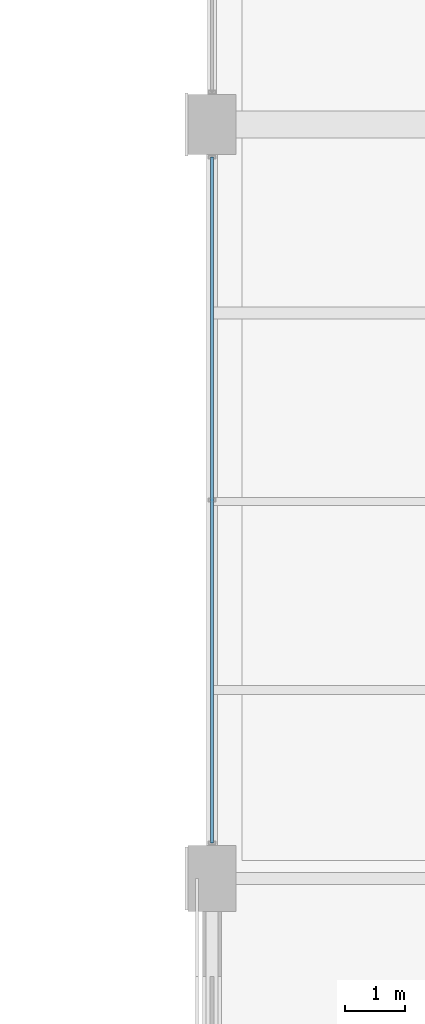
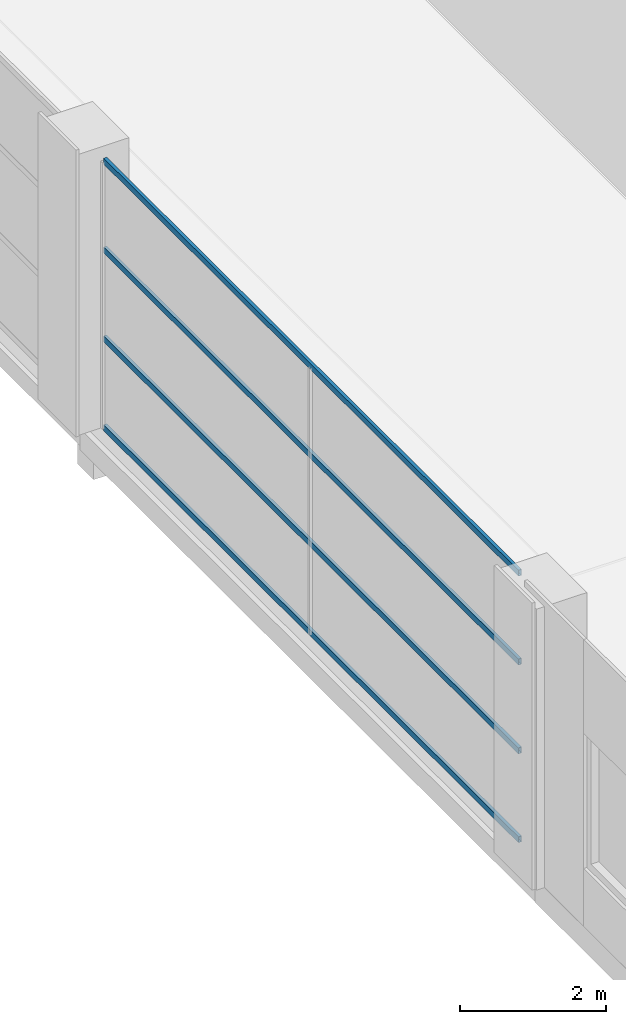
# One storey, part 36 of 112: 4 members, 1 element without a shape of its own.
"""IFC4 building model written with IfcOpenShell, lengths in metres."""

from ifc_helpers import new_model, si_unit, direction, frame, origin, origin_2d, place, context, subcontext, project, spatial, hollow_rectangle, extrude, material, material_profile, profile_set, type_object, element, aggregate, save


model = new_model("IFC4")

# Units and contexts
model_context = context("Model", 3, precision=1e-05, world=origin(), true_north=direction((0.0, 1.0)))
body_context = subcontext(model_context, "Body", "Model", "MODEL_VIEW")
ifc_project = project(units=[si_unit("LENGTHUNIT", "METRE"), si_unit("AREAUNIT", "SQUARE_METRE"), si_unit("VOLUMEUNIT", "CUBIC_METRE"), si_unit("PLANEANGLEUNIT", "RADIAN"), si_unit("MASSUNIT", "GRAM", prefix="KILO")], contexts=[model_context])

# Site, building, storey
site_placement = place(None, origin())
site = spatial("IfcSite", under=ifc_project, at=site_placement, CompositionType="ELEMENT")
building_placement = place(site_placement, origin())
building = spatial("IfcBuilding", under=site, at=building_placement, Name="Solvikara Media Centre", CompositionType="ELEMENT")
storey_placement = place(building_placement, frame((0.0, 0.0, 5.39990234375)))
storey = spatial("IfcBuildingStorey", under=building, at=storey_placement, Name="L01", CompositionType="ELEMENT", Elevation=5.39990234375)

# Curtain wall, members
ifc_material = material(Name="Anodised aluminium EN AW-6063", Category="aluminium")
curtain_wall_type = type_object("IfcCurtainWallType", Name="CW-12", PredefinedType="NOTDEFINED", material=ifc_material)
curtain_wall_placement = place(storey_placement, origin())
curtain_wall = element("IfcCurtainWall", 1, at=curtain_wall_placement, inside=storey, type_object=curtain_wall_type, Name="CW-L01-V2W-S1", PredefinedType="NOTDEFINED")
ifc_material_profile = material_profile(ifc_material, hollow_rectangle(XDim=0.050048828125, YDim=0.10009765625, WallThickness=0.0029296875, at=origin_2d()), Name="ALU-T 50x100x3")
ifc_profile_set = profile_set([ifc_material_profile], Name="Anodised aluminium EN AW-6063")
member_type = type_object("IfcMemberType", Name="MF-12", PredefinedType="USERDEFINED", material=ifc_profile_set)
member_1_placement = place(storey_placement, frame((127.5, 47.090087890625, 0.02001953125), z_axis=(0.0, 1.0, 0.0), x_axis=(-1.0, 0.0, 0.0)))
member_1 = element("IfcMember", 2, at=member_1_placement, type_object=member_type, Name="CW-L01-V2W-S1-T00", ObjectType="TRANSOM", PredefinedType="USERDEFINED", context=body_context, shape_type="SweptSolid", body=[
    extrude(hollow_rectangle(XDim=0.050048828125, YDim=0.10009765625, WallThickness=0.0029296875, at=origin_2d()), origin(), (0.0, 0.0, 1.0), 11.369873046875),
])
member_2_placement = place(storey_placement, frame((127.5, 47.090087890625, 1.507080078125), z_axis=(0.0, 1.0, 0.0), x_axis=(-1.0, 0.0, 0.0)))
member_2 = element("IfcMember", 3, at=member_2_placement, type_object=member_type, Name="CW-L01-V2W-S1-T01", ObjectType="TRANSOM", PredefinedType="USERDEFINED", context=body_context, shape_type="SweptSolid", body=[
    extrude(hollow_rectangle(XDim=0.050048828125, YDim=0.10009765625, WallThickness=0.0029296875, at=origin_2d()), origin(), (0.0, 0.0, 1.0), 11.369873046875),
])
member_3_placement = place(storey_placement, frame((127.5, 47.090087890625, 2.9931640625), z_axis=(0.0, 1.0, 0.0), x_axis=(-1.0, 0.0, 0.0)))
member_3 = element("IfcMember", 4, at=member_3_placement, type_object=member_type, Name="CW-L01-V2W-S1-T02", ObjectType="TRANSOM", PredefinedType="USERDEFINED", context=body_context, shape_type="SweptSolid", body=[
    extrude(hollow_rectangle(XDim=0.050048828125, YDim=0.10009765625, WallThickness=0.0029296875, at=origin_2d()), origin(), (0.0, 0.0, 1.0), 11.369873046875),
])
member_4_placement = place(storey_placement, frame((127.5, 47.090087890625, 4.47998046875), z_axis=(0.0, 1.0, 0.0), x_axis=(-1.0, 0.0, 0.0)))
member_4 = element("IfcMember", 5, at=member_4_placement, type_object=member_type, Name="CW-L01-V2W-S1-T03", ObjectType="TRANSOM", PredefinedType="USERDEFINED", context=body_context, shape_type="SweptSolid", body=[
    extrude(hollow_rectangle(XDim=0.050048828125, YDim=0.10009765625, WallThickness=0.0029296875, at=origin_2d()), origin(), (0.0, 0.0, 1.0), 11.369873046875),
])
aggregate(curtain_wall, [member_1, member_2, member_3, member_4])

save(model, "model.ifc")
